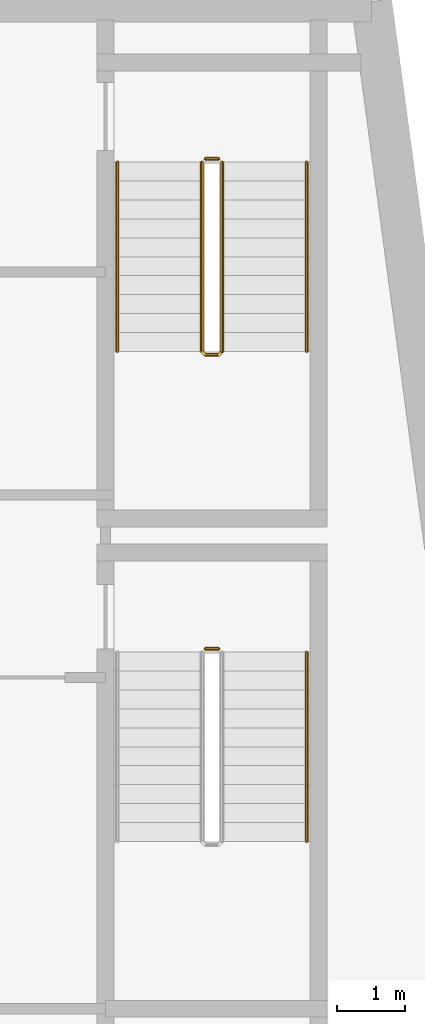
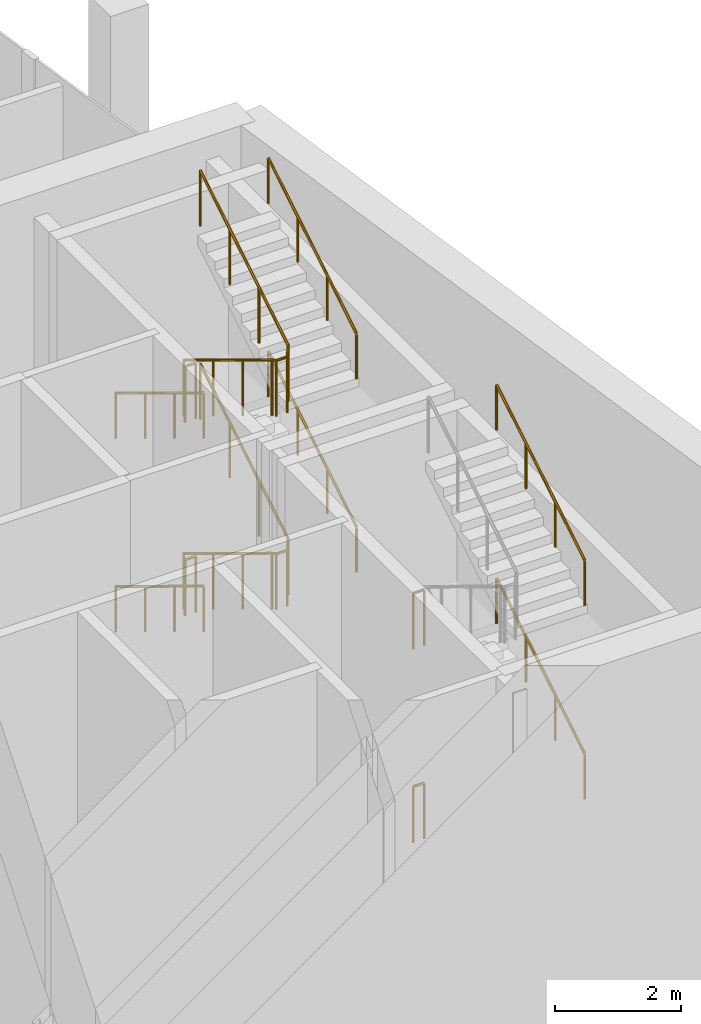
# One storey, part 9 of 9: 12 railings.
"""IFC4 building model written with IfcOpenShell, lengths in metres."""

from ifc_helpers import new_model, si_unit, direction, frame, origin, origin_2d, place, context, subcontext, project, spatial, circle, extrude, material, type_object, element, save


model = new_model("IFC4")

# Units and contexts
model_context = context("Model", 3, precision=1e-05, world=origin(), true_north=direction((0.0, 1.0)))
body_context = subcontext(model_context, "Body", "Model", "MODEL_VIEW")
ifc_project = project(units=[si_unit("LENGTHUNIT", "METRE"), si_unit("AREAUNIT", "SQUARE_METRE"), si_unit("VOLUMEUNIT", "CUBIC_METRE"), si_unit("PLANEANGLEUNIT", "RADIAN"), si_unit("MASSUNIT", "GRAM", prefix="KILO")], contexts=[model_context])

# Site, building, storey
site_placement = place(None, origin())
site = spatial("IfcSite", under=ifc_project, at=site_placement, CompositionType="ELEMENT")
building_placement = place(site_placement, origin())
building = spatial("IfcBuilding", under=site, at=building_placement, Name="Candeia Pilgrim Tower and Theatre", CompositionType="ELEMENT")
storey_placement = place(building_placement, frame((0.0, 0.0, 307.89990234375)))
storey = spatial("IfcBuildingStorey", under=building, at=storey_placement, Name="L75", CompositionType="ELEMENT", Elevation=307.89990234375)

# Railings
ifc_material_1 = material(Name="Stainless steel balustrade", Category="steel")
railing_type_1 = type_object("IfcRailingType", Name="RL-GUARD-1100", PredefinedType="GUARDRAIL", material=ifc_material_1)
for number, where, name in (
    (1, (135.447998046875, 122.52490234375, 3.75), "L75 ST3 stair guard 2"),
    (2, (135.447998046875, 122.52490234375, 0.0), "L75 ST3 stair guard 4"),
):
    element("IfcRailing", number, at=place(storey_placement, frame(where)), inside=storey, type_object=railing_type_1, Name=name, PredefinedType="GUARDRAIL", context=body_context, shape_type="SweptSolid", body=[
        extrude(circle(Radius=0.02392578125, at=origin_2d()), frame((0.0, 0.0, 1.076171875), z_axis=(1.0, 0.0, 0.0), x_axis=(0.0, 1.0, 0.0)), (0.0, 0.0, 1.0), 0.199951171875),
        extrude(circle(Radius=0.02099609375, at=origin_2d()), origin(), (0.0, 0.0, 1.0), 1.052001953125),
        extrude(circle(Radius=0.02099609375, at=origin_2d()), frame((0.199951171875, 0.0, 0.0)), (0.0, 0.0, 1.0), 1.052001953125),
    ])
railing_1_placement = place(storey_placement, frame((135.39794921875, 129.72509765625, 0.170654296875)))
element("IfcRailing", 3, at=railing_1_placement, inside=storey, type_object=railing_type_1, Name="L75 ST4 stair guard 1", PredefinedType="GUARDRAIL", context=body_context, shape_type="SweptSolid", body=[
    extrude(circle(Radius=0.02392578125, at=origin_2d()), frame((0.0, 0.0, 1.076171875), z_axis=(0.0, -0.854202870247, 0.519939858505), x_axis=(1.0, 0.0, 0.0)), (0.0, 0.0, 1.0), 3.278076171875),
    extrude(circle(Radius=0.02392578125, at=origin_2d()), frame((0.0, -2.800048828125, 2.7802734375), z_axis=(0.707106781187, -0.707106781187, 0.0), x_axis=(0.707106781187, 0.707106781187, 0.0)), (0.0, 0.0, 1.0), 0.07080078125),
    extrude(circle(Radius=0.02392578125, at=origin_2d()), frame((0.050048828125, -2.85009765625, 2.7802734375), z_axis=(1.0, 0.0, 0.0), x_axis=(0.0, 1.0, 0.0)), (0.0, 0.0, 1.0), 0.199951171875),
    extrude(circle(Radius=0.02392578125, at=origin_2d()), frame((0.25, -2.85009765625, 2.7802734375), z_axis=(0.270899902878, 0.270899902878, 0.923702595667), x_axis=(-0.707106781187, 0.707106781187, 0.0)), (0.0, 0.0, 1.0), 0.184814453125),
    extrude(circle(Radius=0.02392578125, at=origin_2d()), frame((0.300048828125, -2.800048828125, 2.951171875), z_axis=(0.0, 0.854202870247, 0.519939858505), x_axis=(-1.0, 0.0, 0.0)), (0.0, 0.0, 1.0), 3.278076171875),
    extrude(circle(Radius=0.02099609375, at=origin_2d()), origin(), (0.0, 0.0, 1.0), 1.052001953125),
    extrude(circle(Radius=0.02099609375, at=origin_2d()), frame((0.0, -0.933349609375, 0.568115234375)), (0.0, 0.0, 1.0), 1.052001953125),
    extrude(circle(Radius=0.02099609375, at=origin_2d()), frame((0.0, -1.86669921875, 1.13623046875)), (0.0, 0.0, 1.0), 1.052001953125),
    extrude(circle(Radius=0.02099609375, at=origin_2d()), frame((0.0, -2.800048828125, 1.704345703125)), (0.0, 0.0, 1.0), 1.052001953125),
    extrude(circle(Radius=0.02099609375, at=origin_2d()), frame((0.050048828125, -2.85009765625, 1.704345703125)), (0.0, 0.0, 1.0), 1.052001953125),
    extrude(circle(Radius=0.02099609375, at=origin_2d()), frame((0.25, -2.85009765625, 1.704345703125)), (0.0, 0.0, 1.0), 1.052001953125),
    extrude(circle(Radius=0.02099609375, at=origin_2d()), frame((0.300048828125, -2.800048828125, 1.875)), (0.0, 0.0, 1.0), 1.052001953125),
    extrude(circle(Radius=0.02099609375, at=origin_2d()), frame((0.300048828125, -1.86669921875, 2.443115234375)), (0.0, 0.0, 1.0), 1.052001953125),
    extrude(circle(Radius=0.02099609375, at=origin_2d()), frame((0.300048828125, -0.933349609375, 3.01123046875)), (0.0, 0.0, 1.0), 1.052001953125),
    extrude(circle(Radius=0.02099609375, at=origin_2d()), frame((0.300048828125, 0.0, 3.579345703125)), (0.0, 0.0, 1.0), 1.052001953125),
])
railing_2_placement = place(storey_placement, frame((135.447998046875, 129.77490234375, 3.75)))
element("IfcRailing", 4, at=railing_2_placement, inside=storey, type_object=railing_type_1, Name="L75 ST4 stair guard 2", PredefinedType="GUARDRAIL", context=body_context, shape_type="SweptSolid", body=[
    extrude(circle(Radius=0.02392578125, at=origin_2d()), frame((0.0, 0.0, 1.076171875), z_axis=(1.0, 0.0, 0.0), x_axis=(0.0, 1.0, 0.0)), (0.0, 0.0, 1.0), 0.199951171875),
    extrude(circle(Radius=0.02099609375, at=origin_2d()), origin(), (0.0, 0.0, 1.0), 1.052001953125),
    extrude(circle(Radius=0.02099609375, at=origin_2d()), frame((0.199951171875, 0.0, 0.0)), (0.0, 0.0, 1.0), 1.052001953125),
])
railing_3_placement = place(storey_placement, frame((135.39794921875, 129.72509765625, 3.920654296875)))
element("IfcRailing", 5, at=railing_3_placement, inside=storey, type_object=railing_type_1, Name="L75 ST4 stair guard 3", PredefinedType="GUARDRAIL", context=body_context, shape_type="SweptSolid", body=[
    extrude(circle(Radius=0.02392578125, at=origin_2d()), frame((0.0, 0.0, 1.076171875), z_axis=(0.0, -0.854202870247, 0.519939858505), x_axis=(1.0, 0.0, 0.0)), (0.0, 0.0, 1.0), 3.278076171875),
    extrude(circle(Radius=0.02392578125, at=origin_2d()), frame((0.0, -2.800048828125, 2.7802734375), z_axis=(0.707106781187, -0.707106781187, 0.0), x_axis=(0.707106781187, 0.707106781187, 0.0)), (0.0, 0.0, 1.0), 0.07080078125),
    extrude(circle(Radius=0.02392578125, at=origin_2d()), frame((0.050048828125, -2.85009765625, 2.7802734375), z_axis=(1.0, 0.0, 0.0), x_axis=(0.0, 1.0, 0.0)), (0.0, 0.0, 1.0), 0.199951171875),
    extrude(circle(Radius=0.02392578125, at=origin_2d()), frame((0.25, -2.85009765625, 2.7802734375), z_axis=(0.270899902878, 0.270899902878, 0.923702595667), x_axis=(-0.707106781187, 0.707106781187, 0.0)), (0.0, 0.0, 1.0), 0.184814453125),
    extrude(circle(Radius=0.02392578125, at=origin_2d()), frame((0.300048828125, -2.800048828125, 2.951171875), z_axis=(0.0, 0.854202870247, 0.519939858505), x_axis=(-1.0, 0.0, 0.0)), (0.0, 0.0, 1.0), 3.278076171875),
    extrude(circle(Radius=0.02099609375, at=origin_2d()), origin(), (0.0, 0.0, 1.0), 1.052001953125),
    extrude(circle(Radius=0.02099609375, at=origin_2d()), frame((0.0, -0.933349609375, 0.568115234375)), (0.0, 0.0, 1.0), 1.052001953125),
    extrude(circle(Radius=0.02099609375, at=origin_2d()), frame((0.0, -1.86669921875, 1.13623046875)), (0.0, 0.0, 1.0), 1.052001953125),
    extrude(circle(Radius=0.02099609375, at=origin_2d()), frame((0.0, -2.800048828125, 1.704345703125)), (0.0, 0.0, 1.0), 1.052001953125),
    extrude(circle(Radius=0.02099609375, at=origin_2d()), frame((0.050048828125, -2.85009765625, 1.704345703125)), (0.0, 0.0, 1.0), 1.052001953125),
    extrude(circle(Radius=0.02099609375, at=origin_2d()), frame((0.25, -2.85009765625, 1.704345703125)), (0.0, 0.0, 1.0), 1.052001953125),
    extrude(circle(Radius=0.02099609375, at=origin_2d()), frame((0.300048828125, -2.800048828125, 1.875)), (0.0, 0.0, 1.0), 1.052001953125),
    extrude(circle(Radius=0.02099609375, at=origin_2d()), frame((0.300048828125, -1.86669921875, 2.443115234375)), (0.0, 0.0, 1.0), 1.052001953125),
    extrude(circle(Radius=0.02099609375, at=origin_2d()), frame((0.300048828125, -0.933349609375, 3.01123046875)), (0.0, 0.0, 1.0), 1.052001953125),
    extrude(circle(Radius=0.02099609375, at=origin_2d()), frame((0.300048828125, 0.0, 3.579345703125)), (0.0, 0.0, 1.0), 1.052001953125),
])
railing_4_placement = place(storey_placement, frame((135.447998046875, 129.77490234375, 0.0)))
element("IfcRailing", 6, at=railing_4_placement, inside=storey, type_object=railing_type_1, Name="L75 ST4 stair guard 4", PredefinedType="GUARDRAIL", context=body_context, shape_type="SweptSolid", body=[
    extrude(circle(Radius=0.02392578125, at=origin_2d()), frame((0.0, 0.0, 1.076171875), z_axis=(1.0, 0.0, 0.0), x_axis=(0.0, 1.0, 0.0)), (0.0, 0.0, 1.0), 0.199951171875),
    extrude(circle(Radius=0.02099609375, at=origin_2d()), origin(), (0.0, 0.0, 1.0), 1.052001953125),
    extrude(circle(Radius=0.02099609375, at=origin_2d()), frame((0.199951171875, 0.0, 0.0)), (0.0, 0.0, 1.0), 1.052001953125),
])
ifc_material_2 = material(Name="Stainless steel handrail", Category="steel")
railing_type_2 = type_object("IfcRailingType", Name="RL-HANDRAIL-900", PredefinedType="HANDRAIL", material=ifc_material_2)
for number, where, name in (
    (7, (136.947998046875, 119.675048828125, 2.045654296875), "L75 ST3 stair handrail 2"),
    (8, (136.947998046875, 119.675048828125, 5.795654296875), "L75 ST3 stair handrail 4"),
):
    element("IfcRailing", number, at=place(storey_placement, frame(where)), inside=storey, type_object=railing_type_2, Name=name, PredefinedType="HANDRAIL", context=body_context, shape_type="SweptSolid", body=[
        extrude(circle(Radius=0.02392578125, at=origin_2d()), frame((0.0, 0.0, 0.8759765625), z_axis=(0.0, 0.854202870247, 0.519939858505), x_axis=(-1.0, 0.0, 0.0)), (0.0, 0.0, 1.0), 3.278076171875),
        extrude(circle(Radius=0.02099609375, at=origin_2d()), origin(), (0.0, 0.0, 1.0), 0.851806640625),
        extrude(circle(Radius=0.02099609375, at=origin_2d()), frame((0.0, 0.933349609375, 0.568115234375)), (0.0, 0.0, 1.0), 0.851806640625),
        extrude(circle(Radius=0.02099609375, at=origin_2d()), frame((0.0, 1.86669921875, 1.13623046875)), (0.0, 0.0, 1.0), 0.851806640625),
        extrude(circle(Radius=0.02099609375, at=origin_2d()), frame((0.0, 2.800048828125, 1.704345703125)), (0.0, 0.0, 1.0), 0.851806640625),
    ])
railing_5_placement = place(storey_placement, frame((134.14794921875, 129.72509765625, 0.170654296875)))
element("IfcRailing", 9, at=railing_5_placement, inside=storey, type_object=railing_type_2, Name="L75 ST4 stair handrail 1", PredefinedType="HANDRAIL", context=body_context, shape_type="SweptSolid", body=[
    extrude(circle(Radius=0.02392578125, at=origin_2d()), frame((0.0, 0.0, 0.8759765625), z_axis=(0.0, -0.854202870247, 0.519939858505), x_axis=(1.0, 0.0, 0.0)), (0.0, 0.0, 1.0), 3.278076171875),
    extrude(circle(Radius=0.02099609375, at=origin_2d()), origin(), (0.0, 0.0, 1.0), 0.851806640625),
    extrude(circle(Radius=0.02099609375, at=origin_2d()), frame((0.0, -0.933349609375, 0.568115234375)), (0.0, 0.0, 1.0), 0.851806640625),
    extrude(circle(Radius=0.02099609375, at=origin_2d()), frame((0.0, -1.86669921875, 1.13623046875)), (0.0, 0.0, 1.0), 0.851806640625),
    extrude(circle(Radius=0.02099609375, at=origin_2d()), frame((0.0, -2.800048828125, 1.704345703125)), (0.0, 0.0, 1.0), 0.851806640625),
])
railing_6_placement = place(storey_placement, frame((136.947998046875, 126.925048828125, 2.045654296875)))
element("IfcRailing", 10, at=railing_6_placement, inside=storey, type_object=railing_type_2, Name="L75 ST4 stair handrail 2", PredefinedType="HANDRAIL", context=body_context, shape_type="SweptSolid", body=[
    extrude(circle(Radius=0.02392578125, at=origin_2d()), frame((0.0, 0.0, 0.8759765625), z_axis=(0.0, 0.854202870247, 0.519939858505), x_axis=(-1.0, 0.0, 0.0)), (0.0, 0.0, 1.0), 3.278076171875),
    extrude(circle(Radius=0.02099609375, at=origin_2d()), origin(), (0.0, 0.0, 1.0), 0.851806640625),
    extrude(circle(Radius=0.02099609375, at=origin_2d()), frame((0.0, 0.933349609375, 0.568115234375)), (0.0, 0.0, 1.0), 0.851806640625),
    extrude(circle(Radius=0.02099609375, at=origin_2d()), frame((0.0, 1.86669921875, 1.13623046875)), (0.0, 0.0, 1.0), 0.851806640625),
    extrude(circle(Radius=0.02099609375, at=origin_2d()), frame((0.0, 2.800048828125, 1.704345703125)), (0.0, 0.0, 1.0), 0.851806640625),
])
railing_7_placement = place(storey_placement, frame((134.14794921875, 129.72509765625, 3.920654296875)))
element("IfcRailing", 11, at=railing_7_placement, inside=storey, type_object=railing_type_2, Name="L75 ST4 stair handrail 3", PredefinedType="HANDRAIL", context=body_context, shape_type="SweptSolid", body=[
    extrude(circle(Radius=0.02392578125, at=origin_2d()), frame((0.0, 0.0, 0.8759765625), z_axis=(0.0, -0.854202870247, 0.519939858505), x_axis=(1.0, 0.0, 0.0)), (0.0, 0.0, 1.0), 3.278076171875),
    extrude(circle(Radius=0.02099609375, at=origin_2d()), origin(), (0.0, 0.0, 1.0), 0.851806640625),
    extrude(circle(Radius=0.02099609375, at=origin_2d()), frame((0.0, -0.933349609375, 0.568115234375)), (0.0, 0.0, 1.0), 0.851806640625),
    extrude(circle(Radius=0.02099609375, at=origin_2d()), frame((0.0, -1.86669921875, 1.13623046875)), (0.0, 0.0, 1.0), 0.851806640625),
    extrude(circle(Radius=0.02099609375, at=origin_2d()), frame((0.0, -2.800048828125, 1.704345703125)), (0.0, 0.0, 1.0), 0.851806640625),
])
railing_8_placement = place(storey_placement, frame((136.947998046875, 126.925048828125, 5.795654296875)))
element("IfcRailing", 12, at=railing_8_placement, inside=storey, type_object=railing_type_2, Name="L75 ST4 stair handrail 4", PredefinedType="HANDRAIL", context=body_context, shape_type="SweptSolid", body=[
    extrude(circle(Radius=0.02392578125, at=origin_2d()), frame((0.0, 0.0, 0.8759765625), z_axis=(0.0, 0.854202870247, 0.519939858505), x_axis=(-1.0, 0.0, 0.0)), (0.0, 0.0, 1.0), 3.278076171875),
    extrude(circle(Radius=0.02099609375, at=origin_2d()), origin(), (0.0, 0.0, 1.0), 0.851806640625),
    extrude(circle(Radius=0.02099609375, at=origin_2d()), frame((0.0, 0.933349609375, 0.568115234375)), (0.0, 0.0, 1.0), 0.851806640625),
    extrude(circle(Radius=0.02099609375, at=origin_2d()), frame((0.0, 1.86669921875, 1.13623046875)), (0.0, 0.0, 1.0), 0.851806640625),
    extrude(circle(Radius=0.02099609375, at=origin_2d()), frame((0.0, 2.800048828125, 1.704345703125)), (0.0, 0.0, 1.0), 0.851806640625),
])

save(model, "model.ifc")
